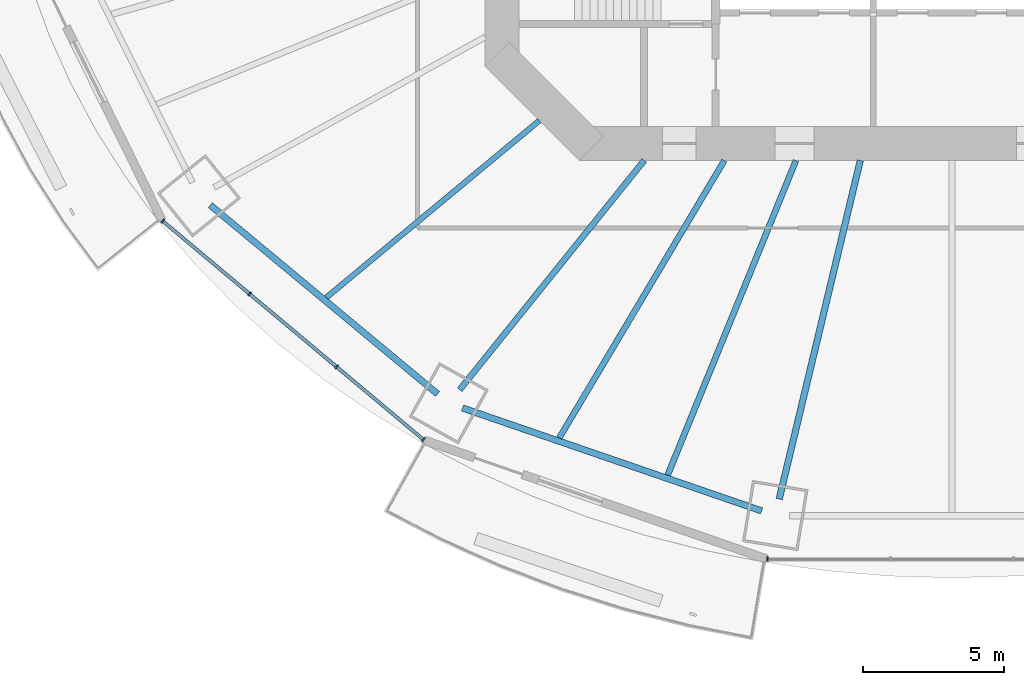
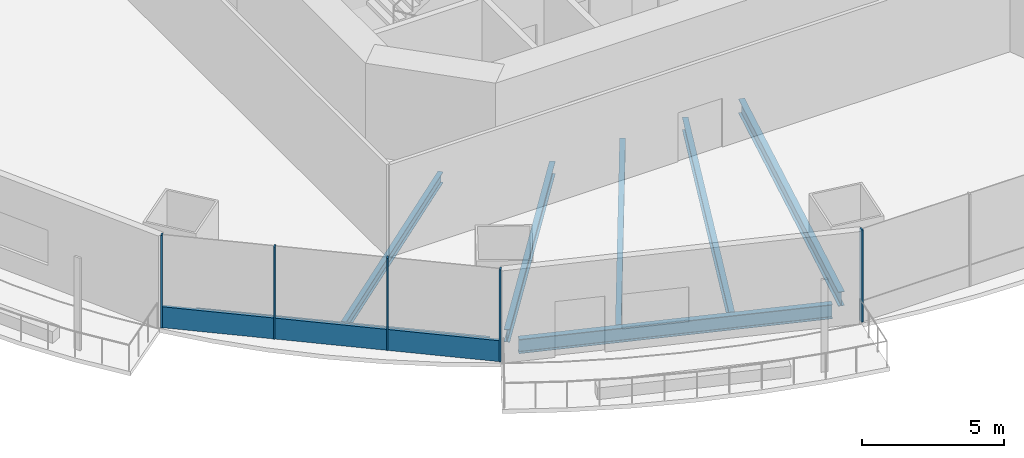
# One storey, part 2 of 21: 7 beams, 6 members, 2 elements without a shape of their own.
"""IFC4 building model written with IfcOpenShell, lengths in metres."""

from ifc_helpers import new_model, si_unit, direction, frame, origin, origin_2d, place, context, subcontext, project, spatial, rectangle, i_section, extrude, material, material_profile, profile_set, type_object, element, aggregate, save


model = new_model("IFC4")

# Units and contexts
model_context = context("Model", 3, precision=1e-05, world=origin(), true_north=direction((0.0, 1.0)))
body_context = subcontext(model_context, "Body", "Model", "MODEL_VIEW")
ifc_project = project(units=[si_unit("LENGTHUNIT", "METRE"), si_unit("AREAUNIT", "SQUARE_METRE"), si_unit("VOLUMEUNIT", "CUBIC_METRE"), si_unit("PLANEANGLEUNIT", "RADIAN"), si_unit("MASSUNIT", "GRAM", prefix="KILO")], contexts=[model_context])

# Site, building, storey
site_placement = place(None, origin())
site = spatial("IfcSite", under=ifc_project, at=site_placement, CompositionType="ELEMENT")
building_placement = place(site_placement, origin())
building = spatial("IfcBuilding", under=site, at=building_placement, Name="Marenthal Gate Tower", CompositionType="ELEMENT")
storey_placement = place(building_placement, frame((0.0, 0.0, 120.14990234375)))
storey = spatial("IfcBuildingStorey", under=building, at=storey_placement, Name="L25", CompositionType="ELEMENT", Elevation=120.14990234375)

# Curtain wall, members
ifc_material_1 = material(Name="Aluminium and glass", Category="aluminium")
curtain_wall_type = type_object("IfcCurtainWallType", Name="Curtain wall typical low", PredefinedType="NOTDEFINED", material=ifc_material_1)
curtain_wall_1_placement = place(storey_placement, origin())
curtain_wall_1 = element("IfcCurtainWall", 1, at=curtain_wall_1_placement, inside=storey, type_object=curtain_wall_type, Name="Curtain wall L25 bay 10", PredefinedType="NOTDEFINED")
ifc_material_2 = material(Name="Aluminium", Category="aluminium")
ifc_material_profile_1 = material_profile(ifc_material_2, rectangle(XDim=0.159912109375, YDim=0.06005859375, at=origin_2d()), Name="60x160 aluminium mullion")
ifc_profile_set_1 = profile_set([ifc_material_profile_1], Name="Aluminium")
member_type_1 = type_object("IfcMemberType", Name="Mullion 60x160 typical low", PredefinedType="MULLION", material=ifc_profile_set_1)
member_1_placement = place(storey_placement, frame((-28.0673828125, -15.754150390625, 0.0), z_axis=(0.0, 0.0, 1.0), x_axis=(0.642437868504, 0.766337774817, 0.0)))
member_1 = element("IfcMember", 2, at=member_1_placement, type_object=member_type_1, Name="Mullion L25 bay 10.1", PredefinedType="MULLION", context=body_context, shape_type="SweptSolid", body=[
    extrude(rectangle(XDim=0.159912109375, YDim=0.06005859375, at=origin_2d()), origin(), (0.0, 0.0, 1.0), 3.97021484375),
])
member_2_placement = place(storey_placement, frame((-24.975830078125, -18.345947265625, 0.0), z_axis=(0.0, 0.0, 1.0), x_axis=(0.642437868504, 0.766337774817, 0.0)))
member_2 = element("IfcMember", 3, at=member_2_placement, type_object=member_type_1, Name="Mullion L25 bay 10.2", PredefinedType="MULLION", context=body_context, shape_type="SweptSolid", body=[
    extrude(rectangle(XDim=0.159912109375, YDim=0.06005859375, at=origin_2d()), origin(), (0.0, 0.0, 1.0), 3.97021484375),
])
member_3_placement = place(storey_placement, frame((-21.884033203125, -20.937744140625, 0.0), z_axis=(0.0, 0.0, 1.0), x_axis=(0.642437868504, 0.766337774817, 0.0)))
member_3 = element("IfcMember", 4, at=member_3_placement, type_object=member_type_1, Name="Mullion L25 bay 10.3", PredefinedType="MULLION", context=body_context, shape_type="SweptSolid", body=[
    extrude(rectangle(XDim=0.159912109375, YDim=0.06005859375, at=origin_2d()), origin(), (0.0, 0.0, 1.0), 3.97021484375),
])
member_4_placement = place(storey_placement, frame((-18.79248046875, -23.529541015625, 0.0), z_axis=(0.0, 0.0, 1.0), x_axis=(0.642437868504, 0.766337774817, 0.0)))
member_4 = element("IfcMember", 5, at=member_4_placement, type_object=member_type_1, Name="Mullion L25 bay 10.4", PredefinedType="MULLION", context=body_context, shape_type="SweptSolid", body=[
    extrude(rectangle(XDim=0.159912109375, YDim=0.06005859375, at=origin_2d()), origin(), (0.0, 0.0, 1.0), 3.97021484375),
])

# Curtain wall, member
curtain_wall_2_placement = place(storey_placement, origin())
curtain_wall_2 = element("IfcCurtainWall", 6, at=curtain_wall_2_placement, inside=storey, type_object=curtain_wall_type, Name="Curtain wall L25 bay 12", PredefinedType="NOTDEFINED")
member_5_placement = place(storey_placement, frame((-6.560791015625, -27.77783203125, 0.0), z_axis=(0.0, 0.0, 1.0), x_axis=(0.0, 1.0, 0.0)))
member_5 = element("IfcMember", 7, at=member_5_placement, type_object=member_type_1, Name="Mullion L25 bay 12.1", PredefinedType="MULLION", context=body_context, shape_type="SweptSolid", body=[
    extrude(rectangle(XDim=0.159912109375, YDim=0.06005859375, at=origin_2d()), origin(), (0.0, 0.0, 1.0), 3.97021484375),
])
aggregate(curtain_wall_2, [member_5])

# Member
ifc_material_3 = material(Name="Aluminium", Category="aluminium")
ifc_material_profile_2 = material_profile(ifc_material_3, rectangle(XDim=0.1201171875, YDim=0.89990234375, at=origin_2d()), Name="120x900 aluminium transom")
ifc_profile_set_2 = profile_set([ifc_material_profile_2], Name="Aluminium")
member_type_2 = type_object("IfcMemberType", Name="Transom 120x900 typical low", PredefinedType="USERDEFINED", material=ifc_profile_set_2)
member_6_placement = place(storey_placement, frame((-28.04443359375, -15.7734375, 0.4501953125), z_axis=(0.766340278264, -0.642434882233, 0.0), x_axis=(0.642434882233, 0.766340278264, 0.0)))
member_6 = element("IfcMember", 8, at=member_6_placement, type_object=member_type_2, Name="Transom L25 bay 10", ObjectType="TRANSOM", PredefinedType="USERDEFINED", context=body_context, shape_type="SweptSolid", body=[
    extrude(rectangle(XDim=0.1201171875, YDim=0.89990234375, at=origin_2d()), origin(), (0.0, 0.0, 1.0), 12.04296875),
])

aggregate(curtain_wall_1, [member_1, member_2, member_3, member_4, member_6])

# Beams
ifc_material_4 = material(Name="Steel S355", Category="steel")
ifc_material_profile_3 = material_profile(ifc_material_4, i_section(OverallWidth=0.193115234375, OverallDepth=0.467041015625, WebThickness=0.011474609375, FlangeThickness=0.01904296875, FilletRadius=0.010009765625, at=origin_2d()), Name="W460X97")
ifc_profile_set_3 = profile_set([ifc_material_profile_3], Name="Steel S355")
beam_type_1 = type_object("IfcBeamType", Name="W460X97 beam", PredefinedType="BEAM", material=ifc_profile_set_3)
beam_1_placement = place(storey_placement, frame((-22.244384765625, -18.4716796875, -0.413330078125), z_axis=(0.7693296468, 0.638852013031, 0.0), x_axis=(-0.638852013031, 0.7693296468, 0.0)))
element("IfcBeam", 9, at=beam_1_placement, inside=storey, type_object=beam_type_1, Name="BM-L25-31", PredefinedType="BEAM", context=body_context, shape_type="SweptSolid", body=[
    extrude(i_section(OverallWidth=0.193115234375, OverallDepth=0.467041015625, WebThickness=0.011474609375, FlangeThickness=0.01904296875, FilletRadius=0.010009765625, at=origin_2d()), origin(), (0.0, 0.0, 1.0), 9.84765625),
])
ifc_material_5 = material(Name="Steel S355", Category="steel")
ifc_material_profile_4 = material_profile(ifc_material_5, i_section(OverallWidth=0.2099609375, OverallDepth=0.535888671875, WebThickness=0.010986328125, FlangeThickness=0.017333984375, FilletRadius=0.0126953125, at=origin_2d()), Name="W530X101")
ifc_profile_set_4 = profile_set([ifc_material_profile_4], Name="Steel S355")
beam_type_2 = type_object("IfcBeamType", Name="W530X101 beam", PredefinedType="BEAM", material=ifc_profile_set_4)
beam_2_placement = place(storey_placement, frame((-13.962158203125, -23.4658203125, -0.447998046875), z_axis=(0.51133355271, 0.859382335095, 0.0), x_axis=(-0.859382335095, 0.51133355271, 0.0)))
element("IfcBeam", 10, at=beam_2_placement, inside=storey, type_object=beam_type_2, Name="BM-L25-32", PredefinedType="BEAM", context=body_context, shape_type="SweptSolid", body=[
    extrude(i_section(OverallWidth=0.2099609375, OverallDepth=0.535888671875, WebThickness=0.010986328125, FlangeThickness=0.017333984375, FilletRadius=0.0126953125, at=origin_2d()), origin(), (0.0, 0.0, 1.0), 11.47998046875),
])
ifc_material_6 = material(Name="Steel S355", Category="steel")
ifc_material_profile_5 = material_profile(ifc_material_6, i_section(OverallWidth=0.2119140625, OverallDepth=0.5439453125, WebThickness=0.01318359375, FlangeThickness=0.021240234375, FilletRadius=0.0126953125, at=origin_2d()), Name="W530X123")
ifc_profile_set_5 = profile_set([ifc_material_profile_5], Name="Steel S355")
beam_type_3 = type_object("IfcBeamType", Name="W530X123 beam", PredefinedType="BEAM", material=ifc_profile_set_5)
beam_3_placement = place(storey_placement, frame((-17.505126953125, -21.755126953125, -0.451904296875), z_axis=(0.626891327439, 0.779106708726, 0.0), x_axis=(-0.779106708726, 0.626891327439, 0.0)))
element("IfcBeam", 11, at=beam_3_placement, inside=storey, type_object=beam_type_3, Name="BM-L25-11", PredefinedType="BEAM", context=body_context, shape_type="SweptSolid", body=[
    extrude(i_section(OverallWidth=0.2119140625, OverallDepth=0.5439453125, WebThickness=0.01318359375, FlangeThickness=0.021240234375, FilletRadius=0.0126953125, at=origin_2d()), origin(), (0.0, 0.0, 1.0), 10.467041015625),
])
beam_4_placement = place(storey_placement, frame((-10.10888671875, -24.791015625, -0.451904296875), z_axis=(0.377578568114, 0.92597755097, 0.0), x_axis=(-0.92597755097, 0.377578568114, 0.0)))
element("IfcBeam", 12, at=beam_4_placement, inside=storey, type_object=beam_type_3, Name="BM-L25-33", PredefinedType="BEAM", context=body_context, shape_type="SweptSolid", body=[
    extrude(i_section(OverallWidth=0.2119140625, OverallDepth=0.5439453125, WebThickness=0.01318359375, FlangeThickness=0.021240234375, FilletRadius=0.0126953125, at=origin_2d()), origin(), (0.0, 0.0, 1.0), 12.08544921875),
])
ifc_material_7 = material(Name="Steel S355", Category="steel")
ifc_material_profile_6 = material_profile(ifc_material_7, i_section(OverallWidth=0.22900390625, OverallDepth=0.612060546875, WebThickness=0.011962890625, FlangeThickness=0.01953125, FilletRadius=0.0126953125, at=origin_2d()), Name="W610X125")
ifc_profile_set_6 = profile_set([ifc_material_profile_6], Name="Steel S355")
beam_type_4 = type_object("IfcBeamType", Name="W610X125 beam", PredefinedType="BEAM", material=ifc_profile_set_6)
beam_5_placement = place(storey_placement, frame((-6.142333984375, -25.641845703125, -0.48583984375), z_axis=(0.232953092767, 0.972487972455, 0.0), x_axis=(-0.972487972455, 0.232953092767, 0.0)))
element("IfcBeam", 13, at=beam_5_placement, inside=storey, type_object=beam_type_4, Name="BM-L25-12", PredefinedType="BEAM", context=body_context, shape_type="SweptSolid", body=[
    extrude(i_section(OverallWidth=0.22900390625, OverallDepth=0.612060546875, WebThickness=0.011962890625, FlangeThickness=0.01953125, FilletRadius=0.0126953125, at=origin_2d()), origin(), (0.0, 0.0, 1.0), 12.38232421875),
])
beam_6_placement = place(storey_placement, frame((-26.376220703125, -15.189697265625, -0.48583984375), z_axis=(0.769335786628, -0.638844619148, 0.0), x_axis=(0.638844619148, 0.769335786628, 0.0)))
element("IfcBeam", 14, at=beam_6_placement, inside=storey, type_object=beam_type_4, Name="BM-L25-50", PredefinedType="BEAM", context=body_context, shape_type="SweptSolid", body=[
    extrude(i_section(OverallWidth=0.22900390625, OverallDepth=0.612060546875, WebThickness=0.011962890625, FlangeThickness=0.01953125, FilletRadius=0.0126953125, at=origin_2d()), origin(), (0.0, 0.0, 1.0), 10.510986328125),
])
beam_7_placement = place(storey_placement, frame((-17.404052734375, -22.40283203125, -0.48583984375), z_axis=(0.945627146872, -0.325252669626, 0.0), x_axis=(0.325252669626, 0.945627146872, 0.0)))
element("IfcBeam", 15, at=beam_7_placement, inside=storey, type_object=beam_type_4, Name="BM-L25-51", PredefinedType="BEAM", context=body_context, shape_type="SweptSolid", body=[
    extrude(i_section(OverallWidth=0.22900390625, OverallDepth=0.612060546875, WebThickness=0.011962890625, FlangeThickness=0.01953125, FilletRadius=0.0126953125, at=origin_2d()), origin(), (0.0, 0.0, 1.0), 11.24658203125),
])

save(model, "model.ifc")
